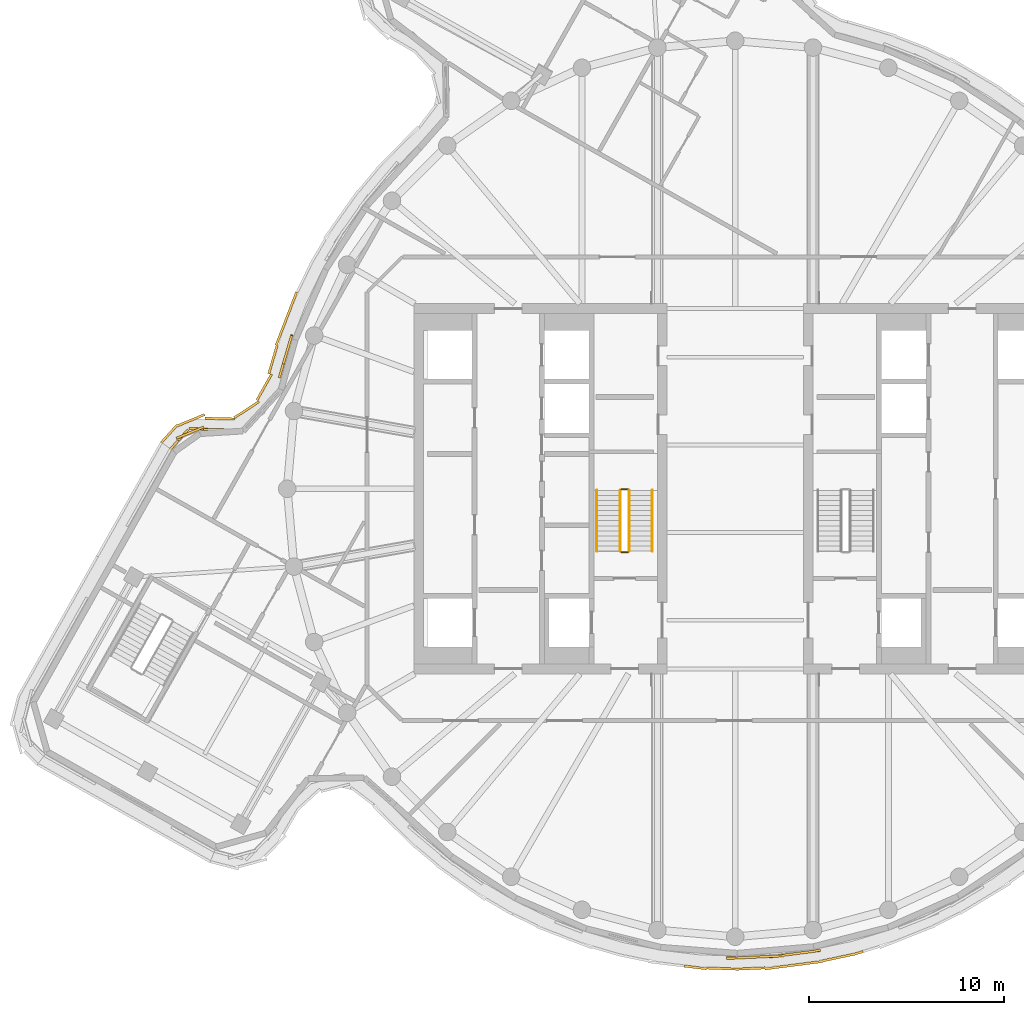
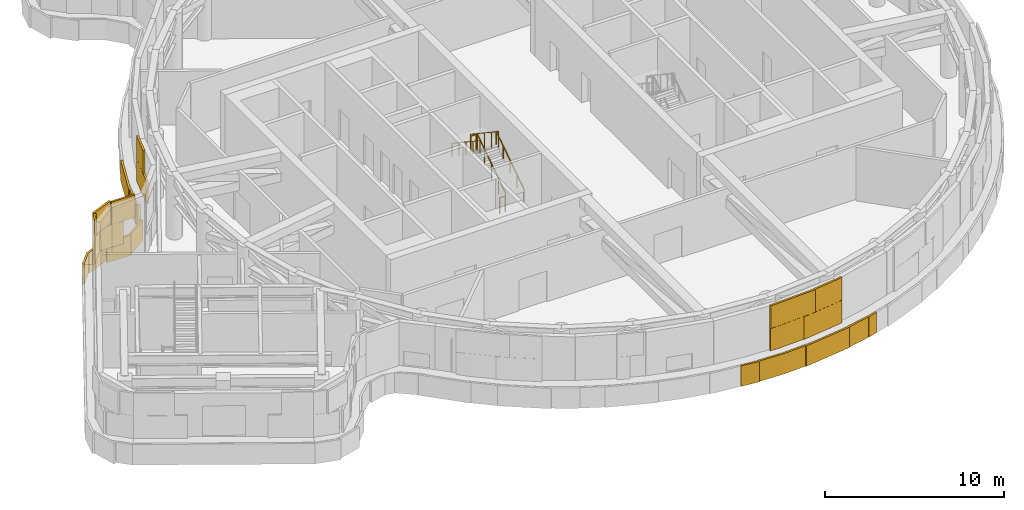
# One storey, part 12 of 15: 6 railings, 2 coverings.
"""IFC4 building model written with IfcOpenShell, lengths in metres."""

from ifc_helpers import new_model, si_unit, direction, frame, origin, origin_2d, place, context, subcontext, project, spatial, rectangle, circle, extrude, material, layer, layer_set, type_object, element, save


model = new_model("IFC4")

# Units and contexts
model_context = context("Model", 3, precision=1e-05, world=origin(), true_north=direction((0.0, 1.0)))
body_context = subcontext(model_context, "Body", "Model", "MODEL_VIEW")
ifc_project = project(units=[si_unit("LENGTHUNIT", "METRE"), si_unit("AREAUNIT", "SQUARE_METRE"), si_unit("VOLUMEUNIT", "CUBIC_METRE"), si_unit("PLANEANGLEUNIT", "RADIAN"), si_unit("MASSUNIT", "GRAM", prefix="KILO")], contexts=[model_context])

# Site, building, storey
site_placement = place(None, origin())
site = spatial("IfcSite", under=ifc_project, at=site_placement, CompositionType="ELEMENT")
building_placement = place(site_placement, origin())
building = spatial("IfcBuilding", under=site, at=building_placement, Name="Tamarind Cross Interchange Tower", CompositionType="ELEMENT")
storey_placement = place(building_placement, frame((0.0, 0.0, 252.300048828125)))
storey = spatial("IfcBuildingStorey", under=building, at=storey_placement, Name="L64", CompositionType="ELEMENT", Elevation=252.300048828125)

# Railings
ifc_material_1 = material(Name="Stair guard")
railing_type_1 = type_object("IfcRailingType", Name="Stair guard", PredefinedType="GUARDRAIL", material=ifc_material_1)
railing_1_placement = place(storey_placement, frame((-5.449951171875, -3.199951171875, 0.173095703125)))
element("IfcRailing", 1, at=railing_1_placement, inside=storey, type_object=railing_type_1, Name="L64 ST1 stair guard 1", PredefinedType="GUARDRAIL", context=body_context, shape_type="SweptSolid", body=[
    extrude(circle(Radius=0.02392578125, at=origin_2d()), frame((0.0, 0.0, 1.076171875), z_axis=(0.0, 0.832420903958, 0.554143879018), x_axis=(-1.0, 0.0, 0.0)), (0.0, 0.0, 1.0), 3.748046875),
    extrude(circle(Radius=0.02099609375, at=origin_2d()), origin(), (0.0, 0.0, 1.0), 1.052001953125),
    extrude(circle(Radius=0.02099609375, at=origin_2d()), frame((0.0, 0.780029296875, 0.519287109375)), (0.0, 0.0, 1.0), 1.052001953125),
    extrude(circle(Radius=0.02099609375, at=origin_2d()), frame((0.0, 1.56005859375, 1.03857421875)), (0.0, 0.0, 1.0), 1.052001953125),
    extrude(circle(Radius=0.02099609375, at=origin_2d()), frame((0.0, 2.33984375, 1.5576171875)), (0.0, 0.0, 1.0), 1.052001953125),
    extrude(circle(Radius=0.02099609375, at=origin_2d()), frame((0.0, 3.119873046875, 2.076904296875)), (0.0, 0.0, 1.0), 1.052001953125),
])
railing_2_placement = place(storey_placement, frame((-5.5, -0.030029296875, 2.25)))
element("IfcRailing", 2, at=railing_2_placement, inside=storey, type_object=railing_type_1, Name="L64 ST1 stair guard 2", PredefinedType="GUARDRAIL", context=body_context, shape_type="SweptSolid", body=[
    extrude(circle(Radius=0.02392578125, at=origin_2d()), frame((0.0, 0.0, 1.076171875), z_axis=(-1.0, 0.0, 0.0), x_axis=(0.0, -1.0, 0.0)), (0.0, 0.0, 1.0), 0.35009765625),
    extrude(circle(Radius=0.02099609375, at=origin_2d()), origin(), (0.0, 0.0, 1.0), 1.052001953125),
    extrude(circle(Radius=0.02099609375, at=origin_2d()), frame((-0.35009765625, 0.0, 0.0)), (0.0, 0.0, 1.0), 1.052001953125),
])
railing_3_placement = place(storey_placement, frame((-5.89990234375, -0.080078125, 2.423095703125)))
element("IfcRailing", 3, at=railing_3_placement, inside=storey, type_object=railing_type_1, Name="L64 ST1 stair guard 3", PredefinedType="GUARDRAIL", context=body_context, shape_type="SweptSolid", body=[
    extrude(circle(Radius=0.02392578125, at=origin_2d()), frame((0.0, 0.0, 1.076171875), z_axis=(0.0, -0.832420903958, 0.554143879018), x_axis=(1.0, 0.0, 0.0)), (0.0, 0.0, 1.0), 3.748046875),
    extrude(circle(Radius=0.02099609375, at=origin_2d()), origin(), (0.0, 0.0, 1.0), 1.052001953125),
    extrude(circle(Radius=0.02099609375, at=origin_2d()), frame((0.0, -0.780029296875, 0.519287109375)), (0.0, 0.0, 1.0), 1.052001953125),
    extrude(circle(Radius=0.02099609375, at=origin_2d()), frame((0.0, -1.56005859375, 1.03857421875)), (0.0, 0.0, 1.0), 1.052001953125),
    extrude(circle(Radius=0.02099609375, at=origin_2d()), frame((0.0, -2.33984375, 1.5576171875)), (0.0, 0.0, 1.0), 1.052001953125),
    extrude(circle(Radius=0.02099609375, at=origin_2d()), frame((0.0, -3.119873046875, 2.076904296875)), (0.0, 0.0, 1.0), 1.052001953125),
])
railing_4_placement = place(storey_placement, frame((-5.5, -3.25, 0.0)))
element("IfcRailing", 4, at=railing_4_placement, inside=storey, type_object=railing_type_1, Name="L64 ST1 stair guard 4", PredefinedType="GUARDRAIL", context=body_context, shape_type="SweptSolid", body=[
    extrude(circle(Radius=0.02392578125, at=origin_2d()), frame((0.0, 0.0, 1.076171875), z_axis=(-1.0, 0.0, 0.0), x_axis=(0.0, -1.0, 0.0)), (0.0, 0.0, 1.0), 0.35009765625),
    extrude(circle(Radius=0.02099609375, at=origin_2d()), origin(), (0.0, 0.0, 1.0), 1.052001953125),
    extrude(circle(Radius=0.02099609375, at=origin_2d()), frame((-0.35009765625, 0.0, 0.0)), (0.0, 0.0, 1.0), 1.052001953125),
])
ifc_material_2 = material(Name="Stair handrail")
railing_type_2 = type_object("IfcRailingType", Name="Stair handrail", PredefinedType="HANDRAIL", material=ifc_material_2)
railing_5_placement = place(storey_placement, frame((-4.25, -3.199951171875, 0.173095703125)))
element("IfcRailing", 5, at=railing_5_placement, inside=storey, type_object=railing_type_2, Name="L64 ST1 stair handrail 1", PredefinedType="HANDRAIL", context=body_context, shape_type="SweptSolid", body=[
    extrude(circle(Radius=0.02392578125, at=origin_2d()), frame((0.0, 0.0, 0.8759765625), z_axis=(0.0, 0.832420903958, 0.554143879018), x_axis=(-1.0, 0.0, 0.0)), (0.0, 0.0, 1.0), 3.748046875),
    extrude(circle(Radius=0.02099609375, at=origin_2d()), origin(), (0.0, 0.0, 1.0), 0.851806640625),
    extrude(circle(Radius=0.02099609375, at=origin_2d()), frame((0.0, 0.780029296875, 0.519287109375)), (0.0, 0.0, 1.0), 0.851806640625),
    extrude(circle(Radius=0.02099609375, at=origin_2d()), frame((0.0, 1.56005859375, 1.03857421875)), (0.0, 0.0, 1.0), 0.851806640625),
    extrude(circle(Radius=0.02099609375, at=origin_2d()), frame((0.0, 2.33984375, 1.5576171875)), (0.0, 0.0, 1.0), 0.851806640625),
    extrude(circle(Radius=0.02099609375, at=origin_2d()), frame((0.0, 3.119873046875, 2.076904296875)), (0.0, 0.0, 1.0), 0.851806640625),
])
railing_6_placement = place(storey_placement, frame((-7.10009765625, -0.080078125, 2.423095703125)))
element("IfcRailing", 6, at=railing_6_placement, inside=storey, type_object=railing_type_2, Name="L64 ST1 stair handrail 2", PredefinedType="HANDRAIL", context=body_context, shape_type="SweptSolid", body=[
    extrude(circle(Radius=0.02392578125, at=origin_2d()), frame((0.0, 0.0, 0.8759765625), z_axis=(0.0, -0.832420903958, 0.554143879018), x_axis=(1.0, 0.0, 0.0)), (0.0, 0.0, 1.0), 3.748046875),
    extrude(circle(Radius=0.02099609375, at=origin_2d()), origin(), (0.0, 0.0, 1.0), 0.851806640625),
    extrude(circle(Radius=0.02099609375, at=origin_2d()), frame((0.0, -0.780029296875, 0.519287109375)), (0.0, 0.0, 1.0), 0.851806640625),
    extrude(circle(Radius=0.02099609375, at=origin_2d()), frame((0.0, -1.56005859375, 1.03857421875)), (0.0, 0.0, 1.0), 0.851806640625),
    extrude(circle(Radius=0.02099609375, at=origin_2d()), frame((0.0, -2.33984375, 1.5576171875)), (0.0, 0.0, 1.0), 0.851806640625),
    extrude(circle(Radius=0.02099609375, at=origin_2d()), frame((0.0, -3.119873046875, 2.076904296875)), (0.0, 0.0, 1.0), 0.851806640625),
])

# Coverings
ifc_material_3 = material(Name="Terracotta", Category="masonry")
ifc_layer = layer(ifc_material_3, 0.1201171875)
ifc_layer_set = layer_set([ifc_layer], Name="Terracotta")
covering_type = type_object("IfcCoveringType", Name="Terracotta baguette screen unit", PredefinedType="MOLDING", material=ifc_layer_set)
covering_1_placement = place(storey_placement, origin())
element("IfcCovering", 7, at=covering_1_placement, inside=storey, type_object=covering_type, Name="SCR-L64-01-03", PredefinedType="MOLDING", context=body_context, shape_type="SweptSolid", body=[
    extrude(rectangle(XDim=0.701416015625, YDim=0.1201171875, at=origin_2d()), frame((-0.10400390625, -24.078125, 1.404052734375), z_axis=(0.0, 0.0, 1.0), x_axis=(0.999314350871, -0.037024696392, 0.0)), (0.0, 0.0, 1.0), 1.5419921875),
    extrude(rectangle(XDim=1.52001953125, YDim=0.1201171875, at=origin_2d()), frame((0.99072265625, -24.04541015625, 1.404052734375), z_axis=(0.0, 0.0, 1.0), x_axis=(0.998958660912, 0.045624486728, 0.0)), (0.0, 0.0, 1.0), 1.5419921875),
    extrude(rectangle(XDim=1.52001953125, YDim=0.1201171875, at=origin_2d()), frame((2.486328125, -23.944091796875, 1.404052734375), z_axis=(0.0, 0.0, 1.0), x_axis=(0.991779070368, 0.127962008342, 0.0)), (0.0, 0.0, 1.0), 1.5419921875),
    extrude(rectangle(XDim=1.1611328125, YDim=0.1201171875, at=origin_2d()), frame((3.801025390625, -23.7744140625, 1.404052734375), z_axis=(0.0, 0.0, 1.0), x_axis=(0.991779070368, 0.127962008342, 0.0)), (0.0, 0.0, 1.0), 1.5419921875),
    extrude(rectangle(XDim=1.451416015625, YDim=0.1201171875, at=origin_2d()), frame((0.270751953125, -24.078125, 2.953857421875), z_axis=(0.0, 0.0, 1.0), x_axis=(0.998958660912, 0.045624486728, 0.0)), (0.0, 0.0, 1.0), 1.5419921875),
    extrude(rectangle(XDim=1.52001953125, YDim=0.1201171875, at=origin_2d()), frame((1.739990234375, -24.010986328125, 2.953857421875), z_axis=(0.0, 0.0, 1.0), x_axis=(0.998958660912, 0.045624486728, 0.0)), (0.0, 0.0, 1.0), 1.5419921875),
    extrude(rectangle(XDim=1.52001953125, YDim=0.1201171875, at=origin_2d()), frame((3.230224609375, -23.84814453125, 2.953857421875), z_axis=(0.0, 0.0, 1.0), x_axis=(0.991779070368, 0.127962008342, 0.0)), (0.0, 0.0, 1.0), 1.5419921875),
    extrude(rectangle(XDim=0.4111328125, YDim=0.1201171875, at=origin_2d()), frame((4.17138671875, -23.7177734375, 2.953857421875), z_axis=(0.0, 0.0, 1.0), x_axis=(0.977824623121, 0.209425419705, 0.0)), (0.0, 0.0, 1.0), 1.5419921875),
    extrude(rectangle(XDim=1.14404296875, YDim=0.1201171875, at=origin_2d()), frame((-2.036376953125, -24.572021484375, 0.00390625), z_axis=(0.0, 0.0, 1.0), x_axis=(0.992843710523, -0.119420963295, 0.0)), (0.0, 0.0, 1.0), 1.39208984375),
    extrude(rectangle(XDim=1.52001953125, YDim=0.1201171875, at=origin_2d()), frame((-0.72607421875, -24.62939453125, 0.00390625), z_axis=(0.0, 0.0, 1.0), x_axis=(0.999314350871, -0.037024696392, 0.0)), (0.0, 0.0, 1.0), 1.39208984375),
    extrude(rectangle(XDim=1.52001953125, YDim=0.1201171875, at=origin_2d()), frame((0.772705078125, -24.6298828125, 0.00390625), z_axis=(0.0, 0.0, 1.0), x_axis=(0.998958660912, 0.045624486728, 0.0)), (0.0, 0.0, 1.0), 1.39208984375),
    extrude(rectangle(XDim=1.52001953125, YDim=0.1201171875, at=origin_2d()), frame((2.27001953125, -24.55078125, 0.00390625), z_axis=(0.0, 0.0, 1.0), x_axis=(0.991779070368, 0.127962008342, 0.0)), (0.0, 0.0, 1.0), 1.39208984375),
    extrude(rectangle(XDim=1.52001953125, YDim=0.1201171875, at=origin_2d()), frame((3.7578125, -24.35888671875, 0.00390625), z_axis=(0.0, 0.0, 1.0), x_axis=(0.991779070368, 0.127962008342, 0.0)), (0.0, 0.0, 1.0), 1.39208984375),
    extrude(rectangle(XDim=1.52001953125, YDim=0.1201171875, at=origin_2d()), frame((5.230224609375, -24.078125, 0.00390625), z_axis=(0.0, 0.0, 1.0), x_axis=(0.977824623121, 0.209425419705, 0.0)), (0.0, 0.0, 1.0), 1.39208984375),
    extrude(rectangle(XDim=0.63427734375, YDim=0.1201171875, at=origin_2d()), frame((6.26171875, -23.847900390625, 0.00390625), z_axis=(0.0, 0.0, 1.0), x_axis=(0.957190642199, 0.289458243079, 0.0)), (0.0, 0.0, 1.0), 1.39208984375),
])
covering_2_placement = place(storey_placement, origin())
element("IfcCovering", 8, at=covering_2_placement, inside=storey, type_object=covering_type, Name="SCR-L64-04-02", PredefinedType="MOLDING", context=body_context, shape_type="SweptSolid", body=[
    extrude(rectangle(XDim=0.81103515625, YDim=0.1201171875, at=origin_2d()), frame((-22.870849609375, 7.5302734375, 1.404052734375), z_axis=(0.0, 0.0, 1.0), x_axis=(-0.281208920763, -0.95964657186, 0.0)), (0.0, 0.0, 1.0), 1.5419921875),
    extrude(rectangle(XDim=1.52001953125, YDim=0.1201171875, at=origin_2d()), frame((-23.1943359375, 6.42626953125, 1.404052734375), z_axis=(0.0, 0.0, 1.0), x_axis=(-0.281208920763, -0.95964657186, 0.0)), (0.0, 0.0, 1.0), 1.5419921875),
    extrude(rectangle(XDim=1.52001953125, YDim=0.1201171875, at=origin_2d()), frame((-27.276123046875, 3.05859375, 1.404052734375), z_axis=(0.0, 0.0, 1.0), x_axis=(-0.998579340715, 0.05328508512, 0.0)), (0.0, 0.0, 1.0), 1.5419921875),
    extrude(rectangle(XDim=1.34033203125, YDim=0.1201171875, at=origin_2d()), frame((-28.540283203125, 2.537109375, 1.404052734375), z_axis=(0.0, 0.0, 1.0), x_axis=(-0.670843130547, -0.741599281417, 0.0)), (0.0, 0.0, 1.0), 1.5419921875),
    extrude(rectangle(XDim=1.52001953125, YDim=0.1201171875, at=origin_2d()), frame((-22.9833984375, 7.14599609375, 2.953857421875), z_axis=(0.0, 0.0, 1.0), x_axis=(-0.281208920763, -0.95964657186, 0.0)), (0.0, 0.0, 1.0), 1.5419921875),
    extrude(rectangle(XDim=1.52001953125, YDim=0.1201171875, at=origin_2d()), frame((-26.52685546875, 3.029541015625, 2.953857421875), z_axis=(0.0, 0.0, 1.0), x_axis=(-0.999680554685, 0.025274267239, 0.0)), (0.0, 0.0, 1.0), 1.5419921875),
    extrude(rectangle(XDim=1.52001953125, YDim=0.1201171875, at=origin_2d()), frame((-27.98779296875, 2.879638671875, 2.953857421875), z_axis=(0.0, 0.0, 1.0), x_axis=(-0.924501560804, -0.381178257604, 0.0)), (0.0, 0.0, 1.0), 1.5419921875),
    extrude(rectangle(XDim=0.59033203125, YDim=0.1201171875, at=origin_2d()), frame((-28.791748046875, 2.259033203125, 2.953857421875), z_axis=(0.0, 0.0, 1.0), x_axis=(-0.670843130547, -0.741599281417, 0.0)), (0.0, 0.0, 1.0), 1.5419921875),
    extrude(rectangle(XDim=1.434814453125, YDim=0.1201171875, at=origin_2d()), frame((-22.77001953125, 9.434814453125, 0.00390625), z_axis=(0.0, 0.0, 1.0), x_axis=(-0.359495435512, -0.933146843667, 0.0)), (0.0, 0.0, 1.0), 1.39208984375),
    extrude(rectangle(XDim=1.52001953125, YDim=0.1201171875, at=origin_2d()), frame((-23.2939453125, 8.07470703125, 0.00390625), z_axis=(0.0, 0.0, 1.0), x_axis=(-0.359495435512, -0.933146843667, 0.0)), (0.0, 0.0, 1.0), 1.39208984375),
    extrude(rectangle(XDim=1.52001953125, YDim=0.1201171875, at=origin_2d()), frame((-23.729736328125, 6.64013671875, 0.00390625), z_axis=(0.0, 0.0, 1.0), x_axis=(-0.281208920763, -0.95964657186, 0.0)), (0.0, 0.0, 1.0), 1.39208984375),
    extrude(rectangle(XDim=1.52001953125, YDim=0.1201171875, at=origin_2d()), frame((-24.178955078125, 5.215087890625, 0.00390625), z_axis=(0.0, 0.0, 1.0), x_axis=(-0.490689057034, -0.871334751578, 0.0)), (0.0, 0.0, 1.0), 1.39208984375),
    extrude(rectangle(XDim=1.52001953125, YDim=0.1201171875, at=origin_2d()), frame((-25.08154296875, 4.0634765625, 0.00390625), z_axis=(0.0, 0.0, 1.0), x_axis=(-0.835120294149, -0.55006735433, 0.0)), (0.0, 0.0, 1.0), 1.39208984375),
    extrude(rectangle(XDim=1.52001953125, YDim=0.1201171875, at=origin_2d()), frame((-26.4697265625, 3.602294921875, 0.00390625), z_axis=(0.0, 0.0, 1.0), x_axis=(-0.999680554685, 0.025274267239, 0.0)), (0.0, 0.0, 1.0), 1.39208984375),
    extrude(rectangle(XDim=1.52001953125, YDim=0.1201171875, at=origin_2d()), frame((-27.9423828125, 3.519287109375, 0.00390625), z_axis=(0.0, 0.0, 1.0), x_axis=(-0.924501560804, -0.381178257604, 0.0)), (0.0, 0.0, 1.0), 1.39208984375),
    extrude(rectangle(XDim=1.19970703125, YDim=0.1201171875, at=origin_2d()), frame((-29.052734375, 2.826416015625, 0.00390625), z_axis=(0.0, 0.0, 1.0), x_axis=(-0.670843130547, -0.741599281417, 0.0)), (0.0, 0.0, 1.0), 1.39208984375),
])

save(model, "model.ifc")
